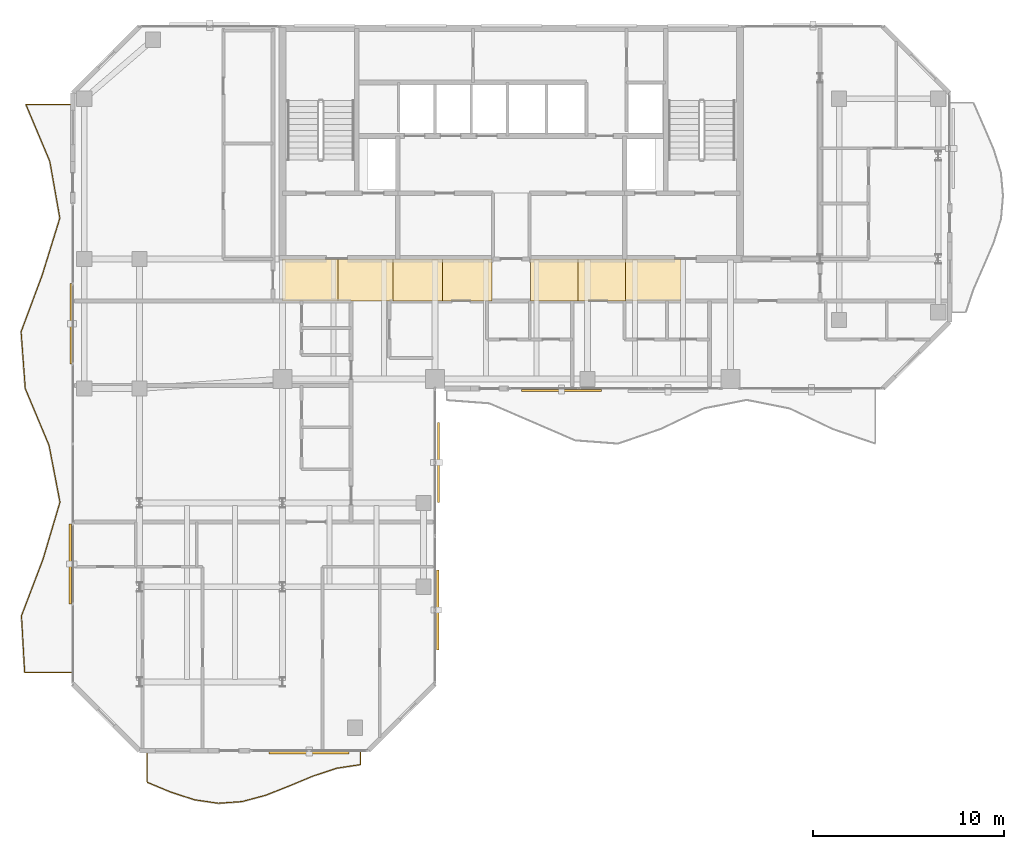
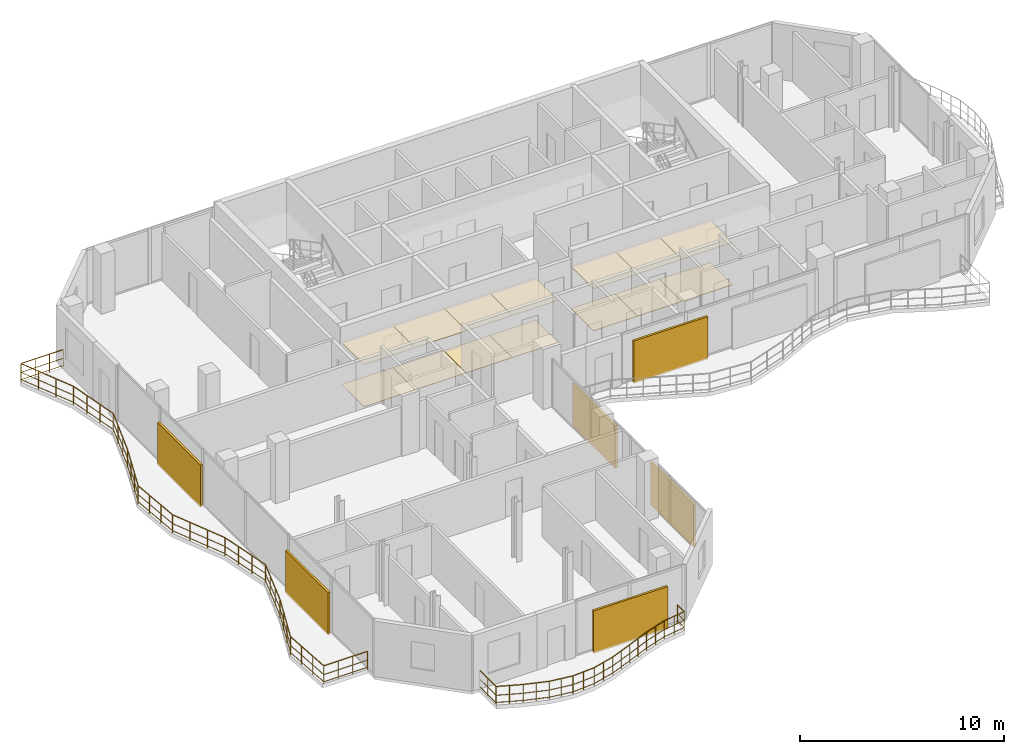
# One storey, part 21 of 23: 14 coverings, 6 shading devices, 2 railings.
"""IFC4 building model written with IfcOpenShell, lengths in metres."""

from ifc_helpers import new_model, si_unit, direction, frame, origin, origin_2d, place, context, subcontext, project, spatial, polyline, rectangle, circle, outline, extrude, material, layer, layer_set, type_object, element, save


model = new_model("IFC4")

# Units and contexts
model_context = context("Model", 3, precision=1e-05, world=origin(), true_north=direction((0.0, 1.0)))
body_context = subcontext(model_context, "Body", "Model", "MODEL_VIEW")
ifc_project = project(units=[si_unit("LENGTHUNIT", "METRE"), si_unit("AREAUNIT", "SQUARE_METRE"), si_unit("VOLUMEUNIT", "CUBIC_METRE"), si_unit("PLANEANGLEUNIT", "RADIAN"), si_unit("MASSUNIT", "GRAM", prefix="KILO")], contexts=[model_context])

# Site, building, storey
site_placement = place(None, origin())
site = spatial("IfcSite", under=ifc_project, at=site_placement, CompositionType="ELEMENT")
building_placement = place(site_placement, origin())
building = spatial("IfcBuilding", under=site, at=building_placement, Name="Catumbela Crestline Tower", CompositionType="ELEMENT")
storey_placement = place(building_placement, frame((0.0, 0.0, 179.4)))
storey = spatial("IfcBuildingStorey", under=building, at=storey_placement, Name="L46", CompositionType="ELEMENT", Elevation=179.4)

# Coverings
ifc_material_1 = material(Name="Mineral-fibre acoustic ceiling")
ifc_layer_1 = layer(ifc_material_1, 0.03, Name="Mineral-fibre acoustic ceiling")
ifc_layer_set_1 = layer_set([ifc_layer_1], Name="Mineral-fibre acoustic ceiling")
covering_type_1 = type_object("IfcCoveringType", Name="CC-AC", PredefinedType="CEILING", material=ifc_layer_set_1)
covering_1_placement = place(storey_placement, frame((0.0, 0.0, 2.52)))
element("IfcCovering", 1, at=covering_1_placement, inside=storey, type_object=covering_type_1, Name="L46 Corridor Acoustic Ceiling Bay 1", PredefinedType="CEILING", context=body_context, shape_type="SweptSolid", body=[
    extrude(outline(polyline([(16.0, 28.6), (18.9, 28.6), (18.9, 30.8), (16.0, 30.8), (16.0, 28.6)])), origin(), (0.0, 0.0, 1.0), 0.03),
])
covering_2_placement = place(storey_placement, frame((0.0, 0.0, 2.52)))
element("IfcCovering", 2, at=covering_2_placement, inside=storey, type_object=covering_type_1, Name="L46 Corridor Acoustic Ceiling Bay 2", PredefinedType="CEILING", context=body_context, shape_type="SweptSolid", body=[
    extrude(outline(polyline([(18.9, 28.6), (21.8, 28.6), (21.8, 30.8), (18.9, 30.8), (18.9, 28.6)])), origin(), (0.0, 0.0, 1.0), 0.03),
])
covering_3_placement = place(storey_placement, frame((0.0, 0.0, 2.52)))
element("IfcCovering", 3, at=covering_3_placement, inside=storey, type_object=covering_type_1, Name="L46 Corridor Acoustic Ceiling Bay 3", PredefinedType="CEILING", context=body_context, shape_type="SweptSolid", body=[
    extrude(outline(polyline([(21.8, 28.6), (24.4, 28.6), (24.4, 30.8), (21.8, 30.8), (21.8, 28.6)])), origin(), (0.0, 0.0, 1.0), 0.03),
])
covering_4_placement = place(storey_placement, frame((0.0, 0.0, 2.52)))
element("IfcCovering", 4, at=covering_4_placement, inside=storey, type_object=covering_type_1, Name="L46 Corridor Acoustic Ceiling Bay 4", PredefinedType="CEILING", context=body_context, shape_type="SweptSolid", body=[
    extrude(outline(polyline([(24.4, 28.6), (27.0, 28.6), (27.0, 30.8), (24.4, 30.8), (24.4, 28.6)])), origin(), (0.0, 0.0, 1.0), 0.03),
])
covering_5_placement = place(storey_placement, frame((0.0, 0.0, 2.52)))
element("IfcCovering", 5, at=covering_5_placement, inside=storey, type_object=covering_type_1, Name="L46 Corridor Acoustic Ceiling Bay 5", PredefinedType="CEILING", context=body_context, shape_type="SweptSolid", body=[
    extrude(outline(polyline([(29.0, 28.6), (31.5, 28.6), (31.5, 30.8), (29.0, 30.8), (29.0, 28.6)])), origin(), (0.0, 0.0, 1.0), 0.03),
])
covering_6_placement = place(storey_placement, frame((0.0, 0.0, 2.52)))
element("IfcCovering", 6, at=covering_6_placement, inside=storey, type_object=covering_type_1, Name="L46 Corridor Acoustic Ceiling Bay 6", PredefinedType="CEILING", context=body_context, shape_type="SweptSolid", body=[
    extrude(outline(polyline([(31.5, 28.6), (34.0, 28.6), (34.0, 30.8), (31.5, 30.8), (31.5, 28.6)])), origin(), (0.0, 0.0, 1.0), 0.03),
])
covering_7_placement = place(storey_placement, frame((0.0, 0.0, 2.52)))
element("IfcCovering", 7, at=covering_7_placement, inside=storey, type_object=covering_type_1, Name="L46 Corridor Acoustic Ceiling Bay 7", PredefinedType="CEILING", context=body_context, shape_type="SweptSolid", body=[
    extrude(outline(polyline([(34.0, 28.6), (36.9, 28.6), (36.9, 30.8), (34.0, 30.8), (34.0, 28.6)])), origin(), (0.0, 0.0, 1.0), 0.03),
])
ifc_material_2 = material(Name="Angolan grey-ochre granite", Category="masonry")
ifc_layer_2 = layer(ifc_material_2, 0.025, Name="Angolan grey-ochre granite")
ifc_layer_set_2 = layer_set([ifc_layer_2], Name="Angolan grey-ochre granite")
covering_type_2 = type_object("IfcCoveringType", Name="CF-GR", PredefinedType="FLOORING", material=ifc_layer_set_2)
covering_8_placement = place(storey_placement, origin())
element("IfcCovering", 8, at=covering_8_placement, inside=storey, type_object=covering_type_2, Name="L46 Corridor Granite Flooring Bay 1", PredefinedType="FLOORING", context=body_context, shape_type="SweptSolid", body=[
    extrude(outline(polyline([(16.0, 28.6), (18.9, 28.6), (18.9, 30.8), (16.0, 30.8), (16.0, 28.6)])), origin(), (0.0, 0.0, 1.0), 0.025),
])
covering_9_placement = place(storey_placement, origin())
element("IfcCovering", 9, at=covering_9_placement, inside=storey, type_object=covering_type_2, Name="L46 Corridor Granite Flooring Bay 2", PredefinedType="FLOORING", context=body_context, shape_type="SweptSolid", body=[
    extrude(outline(polyline([(18.9, 28.6), (21.8, 28.6), (21.8, 30.8), (18.9, 30.8), (18.9, 28.6)])), origin(), (0.0, 0.0, 1.0), 0.025),
])
covering_10_placement = place(storey_placement, origin())
element("IfcCovering", 10, at=covering_10_placement, inside=storey, type_object=covering_type_2, Name="L46 Corridor Granite Flooring Bay 3", PredefinedType="FLOORING", context=body_context, shape_type="SweptSolid", body=[
    extrude(outline(polyline([(21.8, 28.6), (24.4, 28.6), (24.4, 30.8), (21.8, 30.8), (21.8, 28.6)])), origin(), (0.0, 0.0, 1.0), 0.025),
])
covering_11_placement = place(storey_placement, origin())
element("IfcCovering", 11, at=covering_11_placement, inside=storey, type_object=covering_type_2, Name="L46 Corridor Granite Flooring Bay 4", PredefinedType="FLOORING", context=body_context, shape_type="SweptSolid", body=[
    extrude(outline(polyline([(24.4, 28.6), (27.0, 28.6), (27.0, 30.8), (24.4, 30.8), (24.4, 28.6)])), origin(), (0.0, 0.0, 1.0), 0.025),
])
covering_12_placement = place(storey_placement, origin())
element("IfcCovering", 12, at=covering_12_placement, inside=storey, type_object=covering_type_2, Name="L46 Corridor Granite Flooring Bay 5", PredefinedType="FLOORING", context=body_context, shape_type="SweptSolid", body=[
    extrude(outline(polyline([(29.0, 28.6), (31.5, 28.6), (31.5, 30.8), (29.0, 30.8), (29.0, 28.6)])), origin(), (0.0, 0.0, 1.0), 0.025),
])
covering_13_placement = place(storey_placement, origin())
element("IfcCovering", 13, at=covering_13_placement, inside=storey, type_object=covering_type_2, Name="L46 Corridor Granite Flooring Bay 6", PredefinedType="FLOORING", context=body_context, shape_type="SweptSolid", body=[
    extrude(outline(polyline([(31.5, 28.6), (34.0, 28.6), (34.0, 30.8), (31.5, 30.8), (31.5, 28.6)])), origin(), (0.0, 0.0, 1.0), 0.025),
])
covering_14_placement = place(storey_placement, origin())
element("IfcCovering", 14, at=covering_14_placement, inside=storey, type_object=covering_type_2, Name="L46 Corridor Granite Flooring Bay 7", PredefinedType="FLOORING", context=body_context, shape_type="SweptSolid", body=[
    extrude(outline(polyline([(34.0, 28.6), (36.9, 28.6), (36.9, 30.8), (34.0, 30.8), (34.0, 28.6)])), origin(), (0.0, 0.0, 1.0), 0.025),
])

# Railings
ifc_material_3 = material(Name="Stainless steel EN 1.4401", Category="steel")
railing_type = type_object("IfcRailingType", Name="RB-1100", PredefinedType="BALUSTRADE", material=ifc_material_3)
railing_1_placement = place(storey_placement, frame((8.9, 4.94, 0.0)))
element("IfcRailing", 15, at=railing_1_placement, inside=storey, type_object=railing_type, Name="L46 Private Wave Balcony Balustrade 3", PredefinedType="BALUSTRADE", context=body_context, shape_type="SweptSolid", body=[
    extrude(circle(Radius=0.024, at=origin_2d()), frame((0.0, 0.0, 1.076), z_axis=(0.0, -1.0, 0.0), x_axis=(1.0, 0.0, 0.0)), (0.0, 0.0, 1.0), 1.5934),
    extrude(circle(Radius=0.0156, at=origin_2d()), frame((0.0, 0.0, 0.55), z_axis=(0.0, -1.0, 0.0), x_axis=(1.0, 0.0, 0.0)), (0.0, 0.0, 1.0), 1.5934),
    extrude(circle(Radius=0.0156, at=origin_2d()), frame((0.0, 0.0, 0.12), z_axis=(0.0, -1.0, 0.0), x_axis=(1.0, 0.0, 0.0)), (0.0, 0.0, 1.0), 1.5934),
    extrude(circle(Radius=0.024, at=origin_2d()), frame((0.0, -1.5934, 1.076), z_axis=(0.923287517011, -0.384109568914, 0.0), x_axis=(0.384109568914, 0.923287517011, 0.0)), (0.0, 0.0, 1.0), 1.3478),
    extrude(circle(Radius=0.0156, at=origin_2d()), frame((0.0, -1.5934, 0.55), z_axis=(0.923287517011, -0.384109568914, 0.0), x_axis=(0.384109568914, 0.923287517011, 0.0)), (0.0, 0.0, 1.0), 1.3478),
    extrude(circle(Radius=0.0156, at=origin_2d()), frame((0.0, -1.5934, 0.12), z_axis=(0.923287517011, -0.384109568914, 0.0), x_axis=(0.384109568914, 0.923287517011, 0.0)), (0.0, 0.0, 1.0), 1.3478),
    extrude(circle(Radius=0.024, at=origin_2d()), frame((1.2444, -2.1111, 1.076), z_axis=(0.951339765212, -0.30814388056, 0.0), x_axis=(0.30814388056, 0.951339765212, 0.0)), (0.0, 0.0, 1.0), 1.3082),
    extrude(circle(Radius=0.0156, at=origin_2d()), frame((1.2444, -2.1111, 0.55), z_axis=(0.951339765212, -0.30814388056, 0.0), x_axis=(0.30814388056, 0.951339765212, 0.0)), (0.0, 0.0, 1.0), 1.3082),
    extrude(circle(Radius=0.0156, at=origin_2d()), frame((1.2444, -2.1111, 0.12), z_axis=(0.951339765212, -0.30814388056, 0.0), x_axis=(0.30814388056, 0.951339765212, 0.0)), (0.0, 0.0, 1.0), 1.3082),
    extrude(circle(Radius=0.024, at=origin_2d()), frame((2.4889, -2.5142, 1.076), z_axis=(0.989530142127, -0.144326358724, 0.0), x_axis=(0.144326358724, 0.989530142127, 0.0)), (0.0, 0.0, 1.0), 1.2576),
    extrude(circle(Radius=0.0156, at=origin_2d()), frame((2.4889, -2.5142, 0.55), z_axis=(0.989530142127, -0.144326358724, 0.0), x_axis=(0.144326358724, 0.989530142127, 0.0)), (0.0, 0.0, 1.0), 1.2576),
    extrude(circle(Radius=0.0156, at=origin_2d()), frame((2.4889, -2.5142, 0.12), z_axis=(0.989530142127, -0.144326358724, 0.0), x_axis=(0.144326358724, 0.989530142127, 0.0)), (0.0, 0.0, 1.0), 1.2576),
    extrude(circle(Radius=0.024, at=origin_2d()), frame((3.7333, -2.6957, 1.076), z_axis=(0.997492357437, 0.070774266904, 0.0), x_axis=(-0.070774266904, 0.997492357437, 0.0)), (0.0, 0.0, 1.0), 1.2476),
    extrude(circle(Radius=0.0156, at=origin_2d()), frame((3.7333, -2.6957, 0.55), z_axis=(0.997492357437, 0.070774266904, 0.0), x_axis=(-0.070774266904, 0.997492357437, 0.0)), (0.0, 0.0, 1.0), 1.2476),
    extrude(circle(Radius=0.0156, at=origin_2d()), frame((3.7333, -2.6957, 0.12), z_axis=(0.997492357437, 0.070774266904, 0.0), x_axis=(-0.070774266904, 0.997492357437, 0.0)), (0.0, 0.0, 1.0), 1.2476),
    extrude(circle(Radius=0.024, at=origin_2d()), frame((4.9778, -2.6074, 1.076), z_axis=(0.965699627177, 0.259661760892, 0.0), x_axis=(-0.259661760892, 0.965699627177, 0.0)), (0.0, 0.0, 1.0), 1.2886),
    extrude(circle(Radius=0.0156, at=origin_2d()), frame((4.9778, -2.6074, 0.55), z_axis=(0.965699627177, 0.259661760892, 0.0), x_axis=(-0.259661760892, 0.965699627177, 0.0)), (0.0, 0.0, 1.0), 1.2886),
    extrude(circle(Radius=0.0156, at=origin_2d()), frame((4.9778, -2.6074, 0.12), z_axis=(0.965699627177, 0.259661760892, 0.0), x_axis=(-0.259661760892, 0.965699627177, 0.0)), (0.0, 0.0, 1.0), 1.2886),
    extrude(circle(Radius=0.024, at=origin_2d()), frame((6.2222, -2.2728, 1.076), z_axis=(0.929938140498, 0.36771599754, 0.0), x_axis=(-0.36771599754, 0.929938140498, 0.0)), (0.0, 0.0, 1.0), 1.3383),
    extrude(circle(Radius=0.0156, at=origin_2d()), frame((6.2222, -2.2728, 0.55), z_axis=(0.929938140498, 0.36771599754, 0.0), x_axis=(-0.36771599754, 0.929938140498, 0.0)), (0.0, 0.0, 1.0), 1.3383),
    extrude(circle(Radius=0.0156, at=origin_2d()), frame((6.2222, -2.2728, 0.12), z_axis=(0.929938140498, 0.36771599754, 0.0), x_axis=(-0.36771599754, 0.929938140498, 0.0)), (0.0, 0.0, 1.0), 1.3383),
    extrude(circle(Radius=0.024, at=origin_2d()), frame((7.4667, -1.7807, 1.076), z_axis=(0.92299790371, 0.38480497625, 0.0), x_axis=(-0.38480497625, 0.92299790371, 0.0)), (0.0, 0.0, 1.0), 1.3482),
    extrude(circle(Radius=0.0156, at=origin_2d()), frame((7.4667, -1.7807, 0.55), z_axis=(0.92299790371, 0.38480497625, 0.0), x_axis=(-0.38480497625, 0.92299790371, 0.0)), (0.0, 0.0, 1.0), 1.3482),
    extrude(circle(Radius=0.0156, at=origin_2d()), frame((7.4667, -1.7807, 0.12), z_axis=(0.92299790371, 0.38480497625, 0.0), x_axis=(-0.38480497625, 0.92299790371, 0.0)), (0.0, 0.0, 1.0), 1.3482),
    extrude(circle(Radius=0.024, at=origin_2d()), frame((8.7111, -1.2619, 1.076), z_axis=(0.950282150151, 0.311390165393, 0.0), x_axis=(-0.311390165393, 0.950282150151, 0.0)), (0.0, 0.0, 1.0), 1.3096),
    extrude(circle(Radius=0.0156, at=origin_2d()), frame((8.7111, -1.2619, 0.55), z_axis=(0.950282150151, 0.311390165393, 0.0), x_axis=(-0.311390165393, 0.950282150151, 0.0)), (0.0, 0.0, 1.0), 1.3096),
    extrude(circle(Radius=0.0156, at=origin_2d()), frame((8.7111, -1.2619, 0.12), z_axis=(0.950282150151, 0.311390165393, 0.0), x_axis=(-0.311390165393, 0.950282150151, 0.0)), (0.0, 0.0, 1.0), 1.3096),
    extrude(circle(Radius=0.024, at=origin_2d()), frame((9.9556, -0.8541, 1.076), z_axis=(0.98873261545, 0.149692401761, 0.0), x_axis=(-0.149692401761, 0.98873261545, 0.0)), (0.0, 0.0, 1.0), 1.2586),
    extrude(circle(Radius=0.0156, at=origin_2d()), frame((9.9556, -0.8541, 0.55), z_axis=(0.98873261545, 0.149692401761, 0.0), x_axis=(-0.149692401761, 0.98873261545, 0.0)), (0.0, 0.0, 1.0), 1.2586),
    extrude(circle(Radius=0.0156, at=origin_2d()), frame((9.9556, -0.8541, 0.12), z_axis=(0.98873261545, 0.149692401761, 0.0), x_axis=(-0.149692401761, 0.98873261545, 0.0)), (0.0, 0.0, 1.0), 1.2586),
    extrude(circle(Radius=0.024, at=origin_2d()), frame((11.2, -0.6657, 1.076), z_axis=(0.0, 1.0, 0.0), x_axis=(-1.0, 0.0, 0.0)), (0.0, 0.0, 1.0), 0.6657),
    extrude(circle(Radius=0.0156, at=origin_2d()), frame((11.2, -0.6657, 0.55), z_axis=(0.0, 1.0, 0.0), x_axis=(-1.0, 0.0, 0.0)), (0.0, 0.0, 1.0), 0.6657),
    extrude(circle(Radius=0.0156, at=origin_2d()), frame((11.2, -0.6657, 0.12), z_axis=(0.0, 1.0, 0.0), x_axis=(-1.0, 0.0, 0.0)), (0.0, 0.0, 1.0), 0.6657),
    extrude(circle(Radius=0.021, at=origin_2d()), origin(), (0.0, 0.0, 1.0), 1.052),
    extrude(circle(Radius=0.021, at=origin_2d()), frame((0.0, -0.7967, 0.0)), (0.0, 0.0, 1.0), 1.052),
    extrude(circle(Radius=0.021, at=origin_2d()), frame((0.0, -1.5934, 0.0)), (0.0, 0.0, 1.0), 1.052),
    extrude(circle(Radius=0.021, at=origin_2d()), frame((0.6222, -1.8523, 0.0)), (0.0, 0.0, 1.0), 1.052),
    extrude(circle(Radius=0.021, at=origin_2d()), frame((1.2444, -2.1111, 0.0)), (0.0, 0.0, 1.0), 1.052),
    extrude(circle(Radius=0.021, at=origin_2d()), frame((1.8666, -2.3127, 0.0)), (0.0, 0.0, 1.0), 1.052),
    extrude(circle(Radius=0.021, at=origin_2d()), frame((2.4889, -2.5142, 0.0)), (0.0, 0.0, 1.0), 1.052),
    extrude(circle(Radius=0.021, at=origin_2d()), frame((3.1111, -2.605, 0.0)), (0.0, 0.0, 1.0), 1.052),
    extrude(circle(Radius=0.021, at=origin_2d()), frame((3.7333, -2.6957, 0.0)), (0.0, 0.0, 1.0), 1.052),
    extrude(circle(Radius=0.021, at=origin_2d()), frame((4.3556, -2.6516, 0.0)), (0.0, 0.0, 1.0), 1.052),
    extrude(circle(Radius=0.021, at=origin_2d()), frame((4.9778, -2.6074, 0.0)), (0.0, 0.0, 1.0), 1.052),
    extrude(circle(Radius=0.021, at=origin_2d()), frame((5.6, -2.4401, 0.0)), (0.0, 0.0, 1.0), 1.052),
    extrude(circle(Radius=0.021, at=origin_2d()), frame((6.2222, -2.2728, 0.0)), (0.0, 0.0, 1.0), 1.052),
    extrude(circle(Radius=0.021, at=origin_2d()), frame((6.8444, -2.0268, 0.0)), (0.0, 0.0, 1.0), 1.052),
    extrude(circle(Radius=0.021, at=origin_2d()), frame((7.4667, -1.7807, 0.0)), (0.0, 0.0, 1.0), 1.052),
    extrude(circle(Radius=0.021, at=origin_2d()), frame((8.0889, -1.5213, 0.0)), (0.0, 0.0, 1.0), 1.052),
    extrude(circle(Radius=0.021, at=origin_2d()), frame((8.7111, -1.2619, 0.0)), (0.0, 0.0, 1.0), 1.052),
    extrude(circle(Radius=0.021, at=origin_2d()), frame((9.3334, -1.058, 0.0)), (0.0, 0.0, 1.0), 1.052),
    extrude(circle(Radius=0.021, at=origin_2d()), frame((9.9556, -0.8541, 0.0)), (0.0, 0.0, 1.0), 1.052),
    extrude(circle(Radius=0.021, at=origin_2d()), frame((10.5778, -0.7599, 0.0)), (0.0, 0.0, 1.0), 1.052),
    extrude(circle(Radius=0.021, at=origin_2d()), frame((11.2, -0.6657, 0.0)), (0.0, 0.0, 1.0), 1.052),
    extrude(circle(Radius=0.021, at=origin_2d()), frame((11.2, 0.0, 0.0)), (0.0, 0.0, 1.0), 1.052),
])
railing_2_placement = place(storey_placement, frame((4.94, 38.9, 0.0)))
element("IfcRailing", 16, at=railing_2_placement, inside=storey, type_object=railing_type, Name="L46 Private Wave Balcony Balustrade 4", PredefinedType="BALUSTRADE", context=body_context, shape_type="SweptSolid", body=[
    extrude(circle(Radius=0.024, at=origin_2d()), frame((0.0, 0.0, 1.076), z_axis=(-1.0, 0.0, 0.0), x_axis=(0.0, -1.0, 0.0)), (0.0, 0.0, 1.0), 2.4012),
    extrude(circle(Radius=0.0156, at=origin_2d()), frame((0.0, 0.0, 0.55), z_axis=(-1.0, 0.0, 0.0), x_axis=(0.0, -1.0, 0.0)), (0.0, 0.0, 1.0), 2.4012),
    extrude(circle(Radius=0.0156, at=origin_2d()), frame((0.0, 0.0, 0.12), z_axis=(-1.0, 0.0, 0.0), x_axis=(0.0, -1.0, 0.0)), (0.0, 0.0, 1.0), 2.4012),
    extrude(circle(Radius=0.024, at=origin_2d()), frame((-2.4012, 0.0, 1.076), z_axis=(0.388126128532, -0.92160626536, 0.0), x_axis=(0.92160626536, 0.388126128532, 0.0)), (0.0, 0.0, 1.0), 3.2335),
    extrude(circle(Radius=0.0156, at=origin_2d()), frame((-2.4012, 0.0, 0.55), z_axis=(0.388126128532, -0.92160626536, 0.0), x_axis=(0.92160626536, 0.388126128532, 0.0)), (0.0, 0.0, 1.0), 3.2335),
    extrude(circle(Radius=0.0156, at=origin_2d()), frame((-2.4012, 0.0, 0.12), z_axis=(0.388126128532, -0.92160626536, 0.0), x_axis=(0.92160626536, 0.388126128532, 0.0)), (0.0, 0.0, 1.0), 3.2335),
    extrude(circle(Radius=0.024, at=origin_2d()), frame((-1.1462, -2.98, 1.076), z_axis=(0.173758940937, -0.984788216037, 0.0), x_axis=(0.984788216037, 0.173758940937, 0.0)), (0.0, 0.0, 1.0), 3.026),
    extrude(circle(Radius=0.0156, at=origin_2d()), frame((-1.1462, -2.98, 0.55), z_axis=(0.173758940937, -0.984788216037, 0.0), x_axis=(0.984788216037, 0.173758940937, 0.0)), (0.0, 0.0, 1.0), 3.026),
    extrude(circle(Radius=0.0156, at=origin_2d()), frame((-1.1462, -2.98, 0.12), z_axis=(0.173758940937, -0.984788216037, 0.0), x_axis=(0.984788216037, 0.173758940937, 0.0)), (0.0, 0.0, 1.0), 3.026),
    extrude(circle(Radius=0.024, at=origin_2d()), frame((-0.6204, -5.96, 1.076), z_axis=(-0.295455243651, -0.955356582119, 0.0), x_axis=(0.955356582119, -0.295455243651, 0.0)), (0.0, 0.0, 1.0), 3.1193),
    extrude(circle(Radius=0.0156, at=origin_2d()), frame((-0.6204, -5.96, 0.55), z_axis=(-0.295455243651, -0.955356582119, 0.0), x_axis=(0.955356582119, -0.295455243651, 0.0)), (0.0, 0.0, 1.0), 3.1193),
    extrude(circle(Radius=0.0156, at=origin_2d()), frame((-0.6204, -5.96, 0.12), z_axis=(-0.295455243651, -0.955356582119, 0.0), x_axis=(0.955356582119, -0.295455243651, 0.0)), (0.0, 0.0, 1.0), 3.1193),
    extrude(circle(Radius=0.024, at=origin_2d()), frame((-1.542, -8.94, 1.076), z_axis=(-0.349110106043, -0.93708171141, 0.0), x_axis=(0.93708171141, -0.349110106043, 0.0)), (0.0, 0.0, 1.0), 3.1801),
    extrude(circle(Radius=0.0156, at=origin_2d()), frame((-1.542, -8.94, 0.55), z_axis=(-0.349110106043, -0.93708171141, 0.0), x_axis=(0.93708171141, -0.349110106043, 0.0)), (0.0, 0.0, 1.0), 3.1801),
    extrude(circle(Radius=0.0156, at=origin_2d()), frame((-1.542, -8.94, 0.12), z_axis=(-0.349110106043, -0.93708171141, 0.0), x_axis=(0.93708171141, -0.349110106043, 0.0)), (0.0, 0.0, 1.0), 3.1801),
    extrude(circle(Radius=0.024, at=origin_2d()), frame((-2.6522, -11.92, 1.076), z_axis=(0.072926109992, -0.997337346379, 0.0), x_axis=(0.997337346379, 0.072926109992, 0.0)), (0.0, 0.0, 1.0), 2.988),
    extrude(circle(Radius=0.0156, at=origin_2d()), frame((-2.6522, -11.92, 0.55), z_axis=(0.072926109992, -0.997337346379, 0.0), x_axis=(0.997337346379, 0.072926109992, 0.0)), (0.0, 0.0, 1.0), 2.988),
    extrude(circle(Radius=0.0156, at=origin_2d()), frame((-2.6522, -11.92, 0.12), z_axis=(0.072926109992, -0.997337346379, 0.0), x_axis=(0.997337346379, 0.072926109992, 0.0)), (0.0, 0.0, 1.0), 2.988),
    extrude(circle(Radius=0.024, at=origin_2d()), frame((-2.4343, -14.9, 1.076), z_axis=(0.386364078841, -0.922346355, 0.0), x_axis=(0.922346355, 0.386364078841, 0.0)), (0.0, 0.0, 1.0), 3.2309),
    extrude(circle(Radius=0.0156, at=origin_2d()), frame((-2.4343, -14.9, 0.55), z_axis=(0.386364078841, -0.922346355, 0.0), x_axis=(0.922346355, 0.386364078841, 0.0)), (0.0, 0.0, 1.0), 3.2309),
    extrude(circle(Radius=0.0156, at=origin_2d()), frame((-2.4343, -14.9, 0.12), z_axis=(0.386364078841, -0.922346355, 0.0), x_axis=(0.922346355, 0.386364078841, 0.0)), (0.0, 0.0, 1.0), 3.2309),
    extrude(circle(Radius=0.024, at=origin_2d()), frame((-1.186, -17.88, 1.076), z_axis=(0.188981833784, -0.981980583566, 0.0), x_axis=(0.981980583566, 0.188981833784, 0.0)), (0.0, 0.0, 1.0), 3.0347),
    extrude(circle(Radius=0.0156, at=origin_2d()), frame((-1.186, -17.88, 0.55), z_axis=(0.188981833784, -0.981980583566, 0.0), x_axis=(0.981980583566, 0.188981833784, 0.0)), (0.0, 0.0, 1.0), 3.0347),
    extrude(circle(Radius=0.0156, at=origin_2d()), frame((-1.186, -17.88, 0.12), z_axis=(0.188981833784, -0.981980583566, 0.0), x_axis=(0.981980583566, 0.188981833784, 0.0)), (0.0, 0.0, 1.0), 3.0347),
    extrude(circle(Radius=0.024, at=origin_2d()), frame((-0.6125, -20.86, 1.076), z_axis=(-0.284631547145, -0.958636991968, 0.0), x_axis=(0.958636991968, -0.284631547145, 0.0)), (0.0, 0.0, 1.0), 3.1086),
    extrude(circle(Radius=0.0156, at=origin_2d()), frame((-0.6125, -20.86, 0.55), z_axis=(-0.284631547145, -0.958636991968, 0.0), x_axis=(0.958636991968, -0.284631547145, 0.0)), (0.0, 0.0, 1.0), 3.1086),
    extrude(circle(Radius=0.0156, at=origin_2d()), frame((-0.6125, -20.86, 0.12), z_axis=(-0.284631547145, -0.958636991968, 0.0), x_axis=(0.958636991968, -0.284631547145, 0.0)), (0.0, 0.0, 1.0), 3.1086),
    extrude(circle(Radius=0.024, at=origin_2d()), frame((-1.4973, -23.84, 1.076), z_axis=(-0.355738394707, -0.93458557368, 0.0), x_axis=(0.93458557368, -0.355738394707, 0.0)), (0.0, 0.0, 1.0), 3.1886),
    extrude(circle(Radius=0.0156, at=origin_2d()), frame((-1.4973, -23.84, 0.55), z_axis=(-0.355738394707, -0.93458557368, 0.0), x_axis=(0.93458557368, -0.355738394707, 0.0)), (0.0, 0.0, 1.0), 3.1886),
    extrude(circle(Radius=0.0156, at=origin_2d()), frame((-1.4973, -23.84, 0.12), z_axis=(-0.355738394707, -0.93458557368, 0.0), x_axis=(0.93458557368, -0.355738394707, 0.0)), (0.0, 0.0, 1.0), 3.1886),
    extrude(circle(Radius=0.024, at=origin_2d()), frame((-2.6316, -26.82, 1.076), z_axis=(0.055484865065, -0.998459528348, 0.0), x_axis=(0.998459528348, 0.055484865065, 0.0)), (0.0, 0.0, 1.0), 2.9846),
    extrude(circle(Radius=0.0156, at=origin_2d()), frame((-2.6316, -26.82, 0.55), z_axis=(0.055484865065, -0.998459528348, 0.0), x_axis=(0.998459528348, 0.055484865065, 0.0)), (0.0, 0.0, 1.0), 2.9846),
    extrude(circle(Radius=0.0156, at=origin_2d()), frame((-2.6316, -26.82, 0.12), z_axis=(0.055484865065, -0.998459528348, 0.0), x_axis=(0.998459528348, 0.055484865065, 0.0)), (0.0, 0.0, 1.0), 2.9846),
    extrude(circle(Radius=0.024, at=origin_2d()), frame((-2.466, -29.8, 1.076), z_axis=(1.0, 0.0, 0.0), x_axis=(0.0, 1.0, 0.0)), (0.0, 0.0, 1.0), 2.466),
    extrude(circle(Radius=0.0156, at=origin_2d()), frame((-2.466, -29.8, 0.55), z_axis=(1.0, 0.0, 0.0), x_axis=(0.0, 1.0, 0.0)), (0.0, 0.0, 1.0), 2.466),
    extrude(circle(Radius=0.0156, at=origin_2d()), frame((-2.466, -29.8, 0.12), z_axis=(1.0, 0.0, 0.0), x_axis=(0.0, 1.0, 0.0)), (0.0, 0.0, 1.0), 2.466),
    extrude(circle(Radius=0.021, at=origin_2d()), origin(), (0.0, 0.0, 1.0), 1.052),
    extrude(circle(Radius=0.021, at=origin_2d()), frame((-0.8004, 0.0, 0.0)), (0.0, 0.0, 1.0), 1.052),
    extrude(circle(Radius=0.021, at=origin_2d()), frame((-1.6008, 0.0, 0.0)), (0.0, 0.0, 1.0), 1.052),
    extrude(circle(Radius=0.021, at=origin_2d()), frame((-2.4012, 0.0, 0.0)), (0.0, 0.0, 1.0), 1.052),
    extrude(circle(Radius=0.021, at=origin_2d()), frame((-1.9829, -0.9933, 0.0)), (0.0, 0.0, 1.0), 1.052),
    extrude(circle(Radius=0.021, at=origin_2d()), frame((-1.5645, -1.9867, 0.0)), (0.0, 0.0, 1.0), 1.052),
    extrude(circle(Radius=0.021, at=origin_2d()), frame((-1.1462, -2.98, 0.0)), (0.0, 0.0, 1.0), 1.052),
    extrude(circle(Radius=0.021, at=origin_2d()), frame((-0.9709, -3.9733, 0.0)), (0.0, 0.0, 1.0), 1.052),
    extrude(circle(Radius=0.021, at=origin_2d()), frame((-0.7957, -4.9667, 0.0)), (0.0, 0.0, 1.0), 1.052),
    extrude(circle(Radius=0.021, at=origin_2d()), frame((-0.6204, -5.96, 0.0)), (0.0, 0.0, 1.0), 1.052),
    extrude(circle(Radius=0.021, at=origin_2d()), frame((-0.9276, -6.9533, 0.0)), (0.0, 0.0, 1.0), 1.052),
    extrude(circle(Radius=0.021, at=origin_2d()), frame((-1.2348, -7.9467, 0.0)), (0.0, 0.0, 1.0), 1.052),
    extrude(circle(Radius=0.021, at=origin_2d()), frame((-1.542, -8.94, 0.0)), (0.0, 0.0, 1.0), 1.052),
    extrude(circle(Radius=0.021, at=origin_2d()), frame((-1.9121, -9.9333, 0.0)), (0.0, 0.0, 1.0), 1.052),
    extrude(circle(Radius=0.021, at=origin_2d()), frame((-2.2821, -10.9267, 0.0)), (0.0, 0.0, 1.0), 1.052),
    extrude(circle(Radius=0.021, at=origin_2d()), frame((-2.6522, -11.92, 0.0)), (0.0, 0.0, 1.0), 1.052),
    extrude(circle(Radius=0.021, at=origin_2d()), frame((-2.5796, -12.9133, 0.0)), (0.0, 0.0, 1.0), 1.052),
    extrude(circle(Radius=0.021, at=origin_2d()), frame((-2.5069, -13.9067, 0.0)), (0.0, 0.0, 1.0), 1.052),
    extrude(circle(Radius=0.021, at=origin_2d()), frame((-2.4343, -14.9, 0.0)), (0.0, 0.0, 1.0), 1.052),
    extrude(circle(Radius=0.021, at=origin_2d()), frame((-2.0182, -15.8933, 0.0)), (0.0, 0.0, 1.0), 1.052),
    extrude(circle(Radius=0.021, at=origin_2d()), frame((-1.6021, -16.8867, 0.0)), (0.0, 0.0, 1.0), 1.052),
    extrude(circle(Radius=0.021, at=origin_2d()), frame((-1.186, -17.88, 0.0)), (0.0, 0.0, 1.0), 1.052),
    extrude(circle(Radius=0.021, at=origin_2d()), frame((-0.9948, -18.8733, 0.0)), (0.0, 0.0, 1.0), 1.052),
    extrude(circle(Radius=0.021, at=origin_2d()), frame((-0.8037, -19.8667, 0.0)), (0.0, 0.0, 1.0), 1.052),
    extrude(circle(Radius=0.021, at=origin_2d()), frame((-0.6125, -20.86, 0.0)), (0.0, 0.0, 1.0), 1.052),
    extrude(circle(Radius=0.021, at=origin_2d()), frame((-0.9074, -21.8533, 0.0)), (0.0, 0.0, 1.0), 1.052),
    extrude(circle(Radius=0.021, at=origin_2d()), frame((-1.2024, -22.8467, 0.0)), (0.0, 0.0, 1.0), 1.052),
    extrude(circle(Radius=0.021, at=origin_2d()), frame((-1.4973, -23.84, 0.0)), (0.0, 0.0, 1.0), 1.052),
    extrude(circle(Radius=0.021, at=origin_2d()), frame((-1.8754, -24.8333, 0.0)), (0.0, 0.0, 1.0), 1.052),
    extrude(circle(Radius=0.021, at=origin_2d()), frame((-2.2535, -25.8267, 0.0)), (0.0, 0.0, 1.0), 1.052),
    extrude(circle(Radius=0.021, at=origin_2d()), frame((-2.6316, -26.82, 0.0)), (0.0, 0.0, 1.0), 1.052),
    extrude(circle(Radius=0.021, at=origin_2d()), frame((-2.5764, -27.8133, 0.0)), (0.0, 0.0, 1.0), 1.052),
    extrude(circle(Radius=0.021, at=origin_2d()), frame((-2.5212, -28.8067, 0.0)), (0.0, 0.0, 1.0), 1.052),
    extrude(circle(Radius=0.021, at=origin_2d()), frame((-2.466, -29.8, 0.0)), (0.0, 0.0, 1.0), 1.052),
    extrude(circle(Radius=0.021, at=origin_2d()), frame((-1.644, -29.8, 0.0)), (0.0, 0.0, 1.0), 1.052),
    extrude(circle(Radius=0.021, at=origin_2d()), frame((-0.822, -29.8, 0.0)), (0.0, 0.0, 1.0), 1.052),
    extrude(circle(Radius=0.021, at=origin_2d()), frame((0.0, -29.8, 0.0)), (0.0, 0.0, 1.0), 1.052),
])

# Shading devices
ifc_material_4 = material(Name="Extruded terracotta ceramic", Category="masonry")
shading_device_type_1 = type_object("IfcShadingDeviceType", Name="ST-180", PredefinedType="USERDEFINED", material=ifc_material_4)
for number, where, z_axis, x_axis, name in (
    (17, (17.4, 4.901, -0.1), (0.0, 0.0, 1.0), (1.0, 0.0, 0.0), "L46 Perforated Terracotta Solar Screen 528 (180 mm)"),
    (18, (30.6375, 23.901, -0.1), (0.0, 0.0, 1.0), (1.0, 0.0, 0.0), "L46 Perforated Terracotta Solar Screen 531 (180 mm)"),
    (19, (4.901, 27.4, -0.1), (0.0, 0.0, 1.0), (0.0, -1.0, 0.0), "L46 Perforated Terracotta Solar Screen 537 (180 mm)"),
):
    element("IfcShadingDevice", number, at=place(storey_placement, frame(where, z_axis=z_axis, x_axis=x_axis)), inside=storey, type_object=shading_device_type_1, Name=name, ObjectType="SCREEN", PredefinedType="USERDEFINED", context=body_context, shape_type="SweptSolid", body=[
        extrude(rectangle(XDim=4.2, YDim=0.12, at=origin_2d()), origin(), (0.0, 0.0, 1.0), 2.55),
    ])
shading_device_type_2 = type_object("IfcShadingDeviceType", Name="ST-260", PredefinedType="USERDEFINED", material=ifc_material_4)
for number, where, z_axis, x_axis, name in (
    (20, (24.143, 12.375, -0.1), (0.0, 0.0, 1.0), (0.0, 1.0, 0.0), "L46 Perforated Terracotta Solar Screen 529 (260 mm)"),
    (21, (4.857, 14.8, -0.1), (0.0, 0.0, 1.0), (0.0, -1.0, 0.0), "L46 Perforated Terracotta Solar Screen 538 (260 mm)"),
):
    element("IfcShadingDevice", number, at=place(storey_placement, frame(where, z_axis=z_axis, x_axis=x_axis)), inside=storey, type_object=shading_device_type_2, Name=name, ObjectType="SCREEN", PredefinedType="USERDEFINED", context=body_context, shape_type="SweptSolid", body=[
        extrude(rectangle(XDim=4.2, YDim=0.12, at=origin_2d()), origin(), (0.0, 0.0, 1.0), 2.55),
    ])
shading_device_type_3 = type_object("IfcShadingDeviceType", Name="ST-340", PredefinedType="USERDEFINED", material=ifc_material_4)
shading_device_placement = place(storey_placement, frame((24.187, 20.125, -0.1), z_axis=(0.0, 0.0, 1.0), x_axis=(0.0, 1.0, 0.0)))
element("IfcShadingDevice", 22, at=shading_device_placement, inside=storey, type_object=shading_device_type_3, Name="L46 Perforated Terracotta Solar Screen 530 (340 mm)", ObjectType="SCREEN", PredefinedType="USERDEFINED", context=body_context, shape_type="SweptSolid", body=[
    extrude(rectangle(XDim=4.2, YDim=0.12, at=origin_2d()), origin(), (0.0, 0.0, 1.0), 2.55),
])

save(model, "model.ifc")
